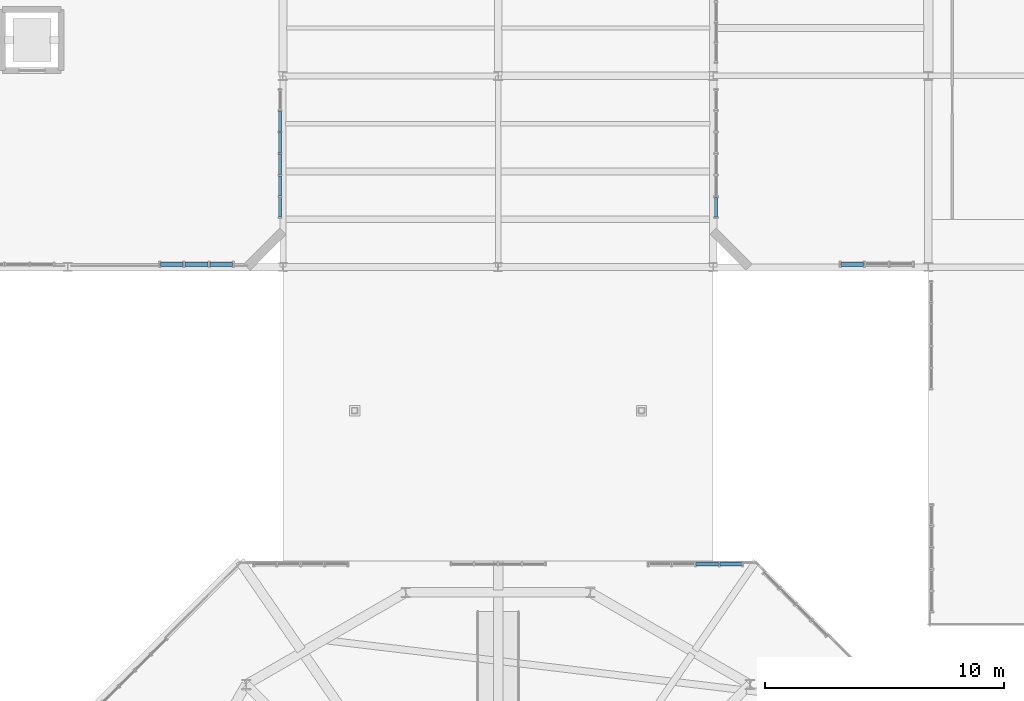
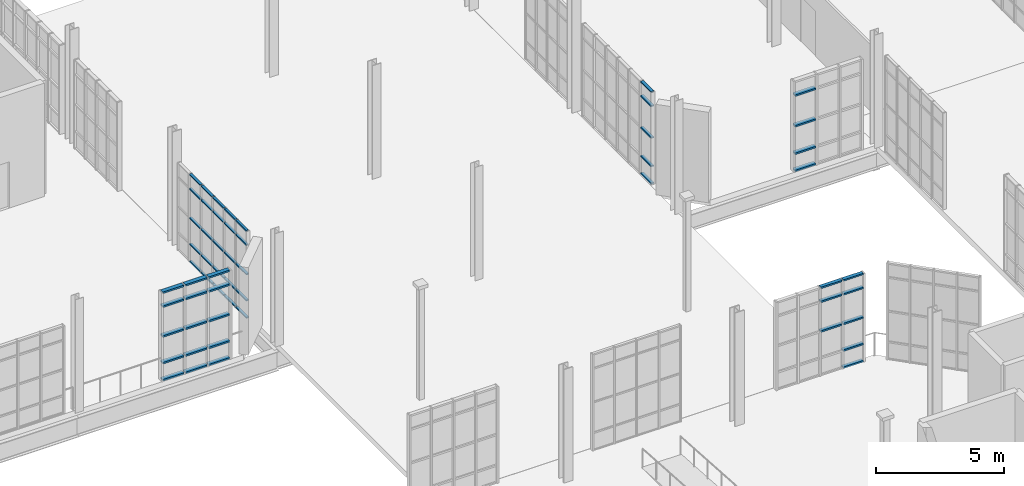
# One storey, part 126 of 189: 57 members, 5 elements without a shape of their own.
"""IFC4 building model written with IfcOpenShell, lengths in metres."""

from ifc_helpers import new_model, si_unit, direction, frame, origin, origin_2d, place, context, subcontext, project, spatial, hollow_rectangle, extrude, material, layer, layer_set, material_profile, profile_set, type_object, element, aggregate, save


model = new_model("IFC4")

# Units and contexts
model_context = context("Model", 3, precision=1e-05, world=origin(), true_north=direction((0.0, 1.0)))
body_context = subcontext(model_context, "Body", "Model", "MODEL_VIEW")
ifc_project = project(units=[si_unit("LENGTHUNIT", "METRE"), si_unit("AREAUNIT", "SQUARE_METRE"), si_unit("VOLUMEUNIT", "CUBIC_METRE"), si_unit("PLANEANGLEUNIT", "RADIAN"), si_unit("MASSUNIT", "GRAM", prefix="KILO"), si_unit("THERMODYNAMICTEMPERATUREUNIT", "KELVIN"), si_unit("POWERUNIT", "WATT")], contexts=[model_context])

# Site, building, storey
site_placement = place(None, origin())
site = spatial("IfcSite", under=ifc_project, at=site_placement, CompositionType="ELEMENT")
building_placement = place(site_placement, origin())
building = spatial("IfcBuilding", under=site, at=building_placement, Name="Zelmaris Science Centre", CompositionType="ELEMENT")
storey_placement = place(building_placement, origin())
storey = spatial("IfcBuildingStorey", under=building, at=storey_placement, Name="L00", CompositionType="ELEMENT", Elevation=0.0)

# Curtain wall, members
ifc_material = material(Name="Anodised architectural aluminium 6063-T6", Category="aluminium")
ifc_layer_1 = layer(ifc_material, 0.219970703125, Name="Anodised architectural aluminium 6063-T6")
ifc_layer_set_1 = layer_set([ifc_layer_1], Name="Anodised architectural aluminium 6063-T6")
curtain_wall_type_1 = type_object("IfcCurtainWallType", Name="Curtain Wall CW-04", PredefinedType="USERDEFINED", material=ifc_layer_set_1)
curtain_wall_1_placement = place(storey_placement, origin())
curtain_wall_1 = element("IfcCurtainWall", 1, at=curtain_wall_1_placement, inside=storey, type_object=curtain_wall_type_1, Name="L00 Unitised curtain wall 32", ObjectType="GLAZED CURTAIN WALL", PredefinedType="USERDEFINED")
ifc_material_profile_1 = material_profile(ifc_material, hollow_rectangle(XDim=0.06005859375, YDim=0.110107421875, WallThickness=0.0029296875, at=origin_2d()), Name="ALU-TRN-60X110")
ifc_profile_set_1 = profile_set([ifc_material_profile_1], Name="Anodised architectural aluminium 6063-T6")
member_type_1 = type_object("IfcMemberType", Name="ALU-TRN-60X110", PredefinedType="USERDEFINED", material=ifc_profile_set_1)
member_1_placement = place(storey_placement, frame((71.8798828125, 70.53076171875, 0.010986328125), z_axis=(0.0, -1.0, 0.0), x_axis=(0.0, 0.0, 1.0)))
member_1 = element("IfcMember", 2, at=member_1_placement, type_object=member_type_1, Name="CW-04 transom 2.1", ObjectType="TRANSOM", PredefinedType="USERDEFINED", context=body_context, shape_type="SweptSolid", body=[
    extrude(hollow_rectangle(XDim=0.06005859375, YDim=0.110107421875, WallThickness=0.0029296875, at=origin_2d()), origin(), (0.0, 0.0, 1.0), 0.851318359375),
])
member_2_placement = place(storey_placement, frame((71.8798828125, 70.53076171875, 0.8349609375), z_axis=(0.0, -1.0, 0.0), x_axis=(0.0, 0.0, 1.0)))
member_2 = element("IfcMember", 3, at=member_2_placement, type_object=member_type_1, Name="CW-04 transom 2.2", ObjectType="TRANSOM", PredefinedType="USERDEFINED", context=body_context, shape_type="SweptSolid", body=[
    extrude(hollow_rectangle(XDim=0.06005859375, YDim=0.110107421875, WallThickness=0.0029296875, at=origin_2d()), origin(), (0.0, 0.0, 1.0), 0.851318359375),
])
member_3_placement = place(storey_placement, frame((71.8798828125, 70.53076171875, 2.077880859375), z_axis=(0.0, -1.0, 0.0), x_axis=(0.0, 0.0, 1.0)))
member_3 = element("IfcMember", 4, at=member_3_placement, type_object=member_type_1, Name="CW-04 transom 2.3", ObjectType="TRANSOM", PredefinedType="USERDEFINED", context=body_context, shape_type="SweptSolid", body=[
    extrude(hollow_rectangle(XDim=0.06005859375, YDim=0.110107421875, WallThickness=0.0029296875, at=origin_2d()), origin(), (0.0, 0.0, 1.0), 0.851318359375),
])
member_4_placement = place(storey_placement, frame((71.8798828125, 70.53076171875, 3.470947265625), z_axis=(0.0, -1.0, 0.0), x_axis=(0.0, 0.0, 1.0)))
member_4 = element("IfcMember", 5, at=member_4_placement, type_object=member_type_1, Name="CW-04 transom 2.4", ObjectType="TRANSOM", PredefinedType="USERDEFINED", context=body_context, shape_type="SweptSolid", body=[
    extrude(hollow_rectangle(XDim=0.06005859375, YDim=0.110107421875, WallThickness=0.0029296875, at=origin_2d()), origin(), (0.0, 0.0, 1.0), 0.851318359375),
])
member_5_placement = place(storey_placement, frame((71.8798828125, 70.53076171875, 4.14501953125), z_axis=(0.0, -1.0, 0.0), x_axis=(0.0, 0.0, 1.0)))
member_5 = element("IfcMember", 6, at=member_5_placement, type_object=member_type_1, Name="CW-04 transom 2.5", ObjectType="TRANSOM", PredefinedType="USERDEFINED", context=body_context, shape_type="SweptSolid", body=[
    extrude(hollow_rectangle(XDim=0.06005859375, YDim=0.110107421875, WallThickness=0.0029296875, at=origin_2d()), origin(), (0.0, 0.0, 1.0), 0.851318359375),
])
member_6_placement = place(storey_placement, frame((71.8798828125, 69.62744140625, 0.010986328125), z_axis=(0.0, -1.0, 0.0), x_axis=(0.0, 0.0, 1.0)))
member_6 = element("IfcMember", 7, at=member_6_placement, type_object=member_type_1, Name="CW-04 transom 3.1", ObjectType="TRANSOM", PredefinedType="USERDEFINED", context=body_context, shape_type="SweptSolid", body=[
    extrude(hollow_rectangle(XDim=0.06005859375, YDim=0.110107421875, WallThickness=0.0029296875, at=origin_2d()), origin(), (0.0, 0.0, 1.0), 0.8515625),
])
member_7_placement = place(storey_placement, frame((71.8798828125, 69.62744140625, 0.8349609375), z_axis=(0.0, -1.0, 0.0), x_axis=(0.0, 0.0, 1.0)))
member_7 = element("IfcMember", 8, at=member_7_placement, type_object=member_type_1, Name="CW-04 transom 3.2", ObjectType="TRANSOM", PredefinedType="USERDEFINED", context=body_context, shape_type="SweptSolid", body=[
    extrude(hollow_rectangle(XDim=0.06005859375, YDim=0.110107421875, WallThickness=0.0029296875, at=origin_2d()), origin(), (0.0, 0.0, 1.0), 0.8515625),
])
member_8_placement = place(storey_placement, frame((71.8798828125, 69.62744140625, 2.077880859375), z_axis=(0.0, -1.0, 0.0), x_axis=(0.0, 0.0, 1.0)))
member_8 = element("IfcMember", 9, at=member_8_placement, type_object=member_type_1, Name="CW-04 transom 3.3", ObjectType="TRANSOM", PredefinedType="USERDEFINED", context=body_context, shape_type="SweptSolid", body=[
    extrude(hollow_rectangle(XDim=0.06005859375, YDim=0.110107421875, WallThickness=0.0029296875, at=origin_2d()), origin(), (0.0, 0.0, 1.0), 0.8515625),
])
member_9_placement = place(storey_placement, frame((71.8798828125, 69.62744140625, 3.470947265625), z_axis=(0.0, -1.0, 0.0), x_axis=(0.0, 0.0, 1.0)))
member_9 = element("IfcMember", 10, at=member_9_placement, type_object=member_type_1, Name="CW-04 transom 3.4", ObjectType="TRANSOM", PredefinedType="USERDEFINED", context=body_context, shape_type="SweptSolid", body=[
    extrude(hollow_rectangle(XDim=0.06005859375, YDim=0.110107421875, WallThickness=0.0029296875, at=origin_2d()), origin(), (0.0, 0.0, 1.0), 0.8515625),
])
member_10_placement = place(storey_placement, frame((71.8798828125, 69.62744140625, 4.14501953125), z_axis=(0.0, -1.0, 0.0), x_axis=(0.0, 0.0, 1.0)))
member_10 = element("IfcMember", 11, at=member_10_placement, type_object=member_type_1, Name="CW-04 transom 3.5", ObjectType="TRANSOM", PredefinedType="USERDEFINED", context=body_context, shape_type="SweptSolid", body=[
    extrude(hollow_rectangle(XDim=0.06005859375, YDim=0.110107421875, WallThickness=0.0029296875, at=origin_2d()), origin(), (0.0, 0.0, 1.0), 0.8515625),
])
member_11_placement = place(storey_placement, frame((71.8798828125, 68.72412109375, 0.010986328125), z_axis=(0.0, -1.0, 0.0), x_axis=(0.0, 0.0, 1.0)))
member_11 = element("IfcMember", 12, at=member_11_placement, type_object=member_type_1, Name="CW-04 transom 4.1", ObjectType="TRANSOM", PredefinedType="USERDEFINED", context=body_context, shape_type="SweptSolid", body=[
    extrude(hollow_rectangle(XDim=0.06005859375, YDim=0.110107421875, WallThickness=0.0029296875, at=origin_2d()), origin(), (0.0, 0.0, 1.0), 0.8515625),
])
member_12_placement = place(storey_placement, frame((71.8798828125, 68.72412109375, 0.8349609375), z_axis=(0.0, -1.0, 0.0), x_axis=(0.0, 0.0, 1.0)))
member_12 = element("IfcMember", 13, at=member_12_placement, type_object=member_type_1, Name="CW-04 transom 4.2", ObjectType="TRANSOM", PredefinedType="USERDEFINED", context=body_context, shape_type="SweptSolid", body=[
    extrude(hollow_rectangle(XDim=0.06005859375, YDim=0.110107421875, WallThickness=0.0029296875, at=origin_2d()), origin(), (0.0, 0.0, 1.0), 0.8515625),
])
member_13_placement = place(storey_placement, frame((71.8798828125, 68.72412109375, 2.077880859375), z_axis=(0.0, -1.0, 0.0), x_axis=(0.0, 0.0, 1.0)))
member_13 = element("IfcMember", 14, at=member_13_placement, type_object=member_type_1, Name="CW-04 transom 4.3", ObjectType="TRANSOM", PredefinedType="USERDEFINED", context=body_context, shape_type="SweptSolid", body=[
    extrude(hollow_rectangle(XDim=0.06005859375, YDim=0.110107421875, WallThickness=0.0029296875, at=origin_2d()), origin(), (0.0, 0.0, 1.0), 0.8515625),
])
member_14_placement = place(storey_placement, frame((71.8798828125, 68.72412109375, 3.470947265625), z_axis=(0.0, -1.0, 0.0), x_axis=(0.0, 0.0, 1.0)))
member_14 = element("IfcMember", 15, at=member_14_placement, type_object=member_type_1, Name="CW-04 transom 4.4", ObjectType="TRANSOM", PredefinedType="USERDEFINED", context=body_context, shape_type="SweptSolid", body=[
    extrude(hollow_rectangle(XDim=0.06005859375, YDim=0.110107421875, WallThickness=0.0029296875, at=origin_2d()), origin(), (0.0, 0.0, 1.0), 0.8515625),
])
member_15_placement = place(storey_placement, frame((71.8798828125, 68.72412109375, 4.14501953125), z_axis=(0.0, -1.0, 0.0), x_axis=(0.0, 0.0, 1.0)))
member_15 = element("IfcMember", 16, at=member_15_placement, type_object=member_type_1, Name="CW-04 transom 4.5", ObjectType="TRANSOM", PredefinedType="USERDEFINED", context=body_context, shape_type="SweptSolid", body=[
    extrude(hollow_rectangle(XDim=0.06005859375, YDim=0.110107421875, WallThickness=0.0029296875, at=origin_2d()), origin(), (0.0, 0.0, 1.0), 0.8515625),
])
member_16_placement = place(storey_placement, frame((71.8798828125, 67.820556640625, 0.010986328125), z_axis=(0.0, -1.0, 0.0), x_axis=(0.0, 0.0, 1.0)))
member_16 = element("IfcMember", 17, at=member_16_placement, type_object=member_type_1, Name="CW-04 transom 5.1", ObjectType="TRANSOM", PredefinedType="USERDEFINED", context=body_context, shape_type="SweptSolid", body=[
    extrude(hollow_rectangle(XDim=0.06005859375, YDim=0.110107421875, WallThickness=0.0029296875, at=origin_2d()), origin(), (0.0, 0.0, 1.0), 0.851318359375),
])
member_17_placement = place(storey_placement, frame((71.8798828125, 67.820556640625, 0.8349609375), z_axis=(0.0, -1.0, 0.0), x_axis=(0.0, 0.0, 1.0)))
member_17 = element("IfcMember", 18, at=member_17_placement, type_object=member_type_1, Name="CW-04 transom 5.2", ObjectType="TRANSOM", PredefinedType="USERDEFINED", context=body_context, shape_type="SweptSolid", body=[
    extrude(hollow_rectangle(XDim=0.06005859375, YDim=0.110107421875, WallThickness=0.0029296875, at=origin_2d()), origin(), (0.0, 0.0, 1.0), 0.851318359375),
])
member_18_placement = place(storey_placement, frame((71.8798828125, 67.820556640625, 2.077880859375), z_axis=(0.0, -1.0, 0.0), x_axis=(0.0, 0.0, 1.0)))
member_18 = element("IfcMember", 19, at=member_18_placement, type_object=member_type_1, Name="CW-04 transom 5.3", ObjectType="TRANSOM", PredefinedType="USERDEFINED", context=body_context, shape_type="SweptSolid", body=[
    extrude(hollow_rectangle(XDim=0.06005859375, YDim=0.110107421875, WallThickness=0.0029296875, at=origin_2d()), origin(), (0.0, 0.0, 1.0), 0.851318359375),
])
member_19_placement = place(storey_placement, frame((71.8798828125, 67.820556640625, 3.470947265625), z_axis=(0.0, -1.0, 0.0), x_axis=(0.0, 0.0, 1.0)))
member_19 = element("IfcMember", 20, at=member_19_placement, type_object=member_type_1, Name="CW-04 transom 5.4", ObjectType="TRANSOM", PredefinedType="USERDEFINED", context=body_context, shape_type="SweptSolid", body=[
    extrude(hollow_rectangle(XDim=0.06005859375, YDim=0.110107421875, WallThickness=0.0029296875, at=origin_2d()), origin(), (0.0, 0.0, 1.0), 0.851318359375),
])
member_20_placement = place(storey_placement, frame((71.8798828125, 67.820556640625, 4.14501953125), z_axis=(0.0, -1.0, 0.0), x_axis=(0.0, 0.0, 1.0)))
member_20 = element("IfcMember", 21, at=member_20_placement, type_object=member_type_1, Name="CW-04 transom 5.5", ObjectType="TRANSOM", PredefinedType="USERDEFINED", context=body_context, shape_type="SweptSolid", body=[
    extrude(hollow_rectangle(XDim=0.06005859375, YDim=0.110107421875, WallThickness=0.0029296875, at=origin_2d()), origin(), (0.0, 0.0, 1.0), 0.851318359375),
])
member_21_placement = place(storey_placement, frame((71.8798828125, 66.917236328125, 0.010986328125), z_axis=(0.0, -1.0, 0.0), x_axis=(0.0, 0.0, 1.0)))
member_21 = element("IfcMember", 22, at=member_21_placement, type_object=member_type_1, Name="CW-04 transom 6.1", ObjectType="TRANSOM", PredefinedType="USERDEFINED", context=body_context, shape_type="SweptSolid", body=[
    extrude(hollow_rectangle(XDim=0.06005859375, YDim=0.110107421875, WallThickness=0.0029296875, at=origin_2d()), origin(), (0.0, 0.0, 1.0), 0.8251953125),
])
member_22_placement = place(storey_placement, frame((71.8798828125, 66.917236328125, 0.8349609375), z_axis=(0.0, -1.0, 0.0), x_axis=(0.0, 0.0, 1.0)))
member_22 = element("IfcMember", 23, at=member_22_placement, type_object=member_type_1, Name="CW-04 transom 6.2", ObjectType="TRANSOM", PredefinedType="USERDEFINED", context=body_context, shape_type="SweptSolid", body=[
    extrude(hollow_rectangle(XDim=0.06005859375, YDim=0.110107421875, WallThickness=0.0029296875, at=origin_2d()), origin(), (0.0, 0.0, 1.0), 0.8251953125),
])
member_23_placement = place(storey_placement, frame((71.8798828125, 66.917236328125, 2.077880859375), z_axis=(0.0, -1.0, 0.0), x_axis=(0.0, 0.0, 1.0)))
member_23 = element("IfcMember", 24, at=member_23_placement, type_object=member_type_1, Name="CW-04 transom 6.3", ObjectType="TRANSOM", PredefinedType="USERDEFINED", context=body_context, shape_type="SweptSolid", body=[
    extrude(hollow_rectangle(XDim=0.06005859375, YDim=0.110107421875, WallThickness=0.0029296875, at=origin_2d()), origin(), (0.0, 0.0, 1.0), 0.8251953125),
])
member_24_placement = place(storey_placement, frame((71.8798828125, 66.917236328125, 3.470947265625), z_axis=(0.0, -1.0, 0.0), x_axis=(0.0, 0.0, 1.0)))
member_24 = element("IfcMember", 25, at=member_24_placement, type_object=member_type_1, Name="CW-04 transom 6.4", ObjectType="TRANSOM", PredefinedType="USERDEFINED", context=body_context, shape_type="SweptSolid", body=[
    extrude(hollow_rectangle(XDim=0.06005859375, YDim=0.110107421875, WallThickness=0.0029296875, at=origin_2d()), origin(), (0.0, 0.0, 1.0), 0.8251953125),
])
member_25_placement = place(storey_placement, frame((71.8798828125, 66.917236328125, 4.14501953125), z_axis=(0.0, -1.0, 0.0), x_axis=(0.0, 0.0, 1.0)))
member_25 = element("IfcMember", 26, at=member_25_placement, type_object=member_type_1, Name="CW-04 transom 6.5", ObjectType="TRANSOM", PredefinedType="USERDEFINED", context=body_context, shape_type="SweptSolid", body=[
    extrude(hollow_rectangle(XDim=0.06005859375, YDim=0.110107421875, WallThickness=0.0029296875, at=origin_2d()), origin(), (0.0, 0.0, 1.0), 0.8251953125),
])
aggregate(curtain_wall_1, [member_1, member_2, member_3, member_4, member_5, member_6, member_7, member_8, member_9, member_10, member_11, member_12, member_13, member_14, member_15, member_16, member_17, member_18, member_19, member_20, member_21, member_22, member_23, member_24, member_25])

ifc_layer_2 = layer(ifc_material, 0.2099609375, Name="Anodised architectural aluminium 6063-T6")
ifc_layer_set_2 = layer_set([ifc_layer_2], Name="Anodised architectural aluminium 6063-T6")
curtain_wall_type_2 = type_object("IfcCurtainWallType", Name="Curtain Wall CW-03", PredefinedType="USERDEFINED", material=ifc_layer_set_2)
curtain_wall_2_placement = place(storey_placement, origin())
curtain_wall_2 = element("IfcCurtainWall", 27, at=curtain_wall_2_placement, inside=storey, type_object=curtain_wall_type_2, Name="L00 Unitised curtain wall 79", ObjectType="GLAZED CURTAIN WALL", PredefinedType="USERDEFINED")
ifc_material_profile_2 = material_profile(ifc_material, hollow_rectangle(XDim=0.06494140625, YDim=0.1298828125, WallThickness=0.00341796875, at=origin_2d()), Name="ALU-TRN-65X130")
ifc_profile_set_2 = profile_set([ifc_material_profile_2], Name="Anodised architectural aluminium 6063-T6")
member_type_2 = type_object("IfcMemberType", Name="ALU-TRN-65X130", PredefinedType="USERDEFINED", material=ifc_profile_set_2)
member_26_placement = place(storey_placement, frame((90.1201171875, 66.096923828125, 0.013427734375), z_axis=(0.0, 1.0, 0.0), x_axis=(0.0, 0.0, 1.0)))
member_26 = element("IfcMember", 28, at=member_26_placement, type_object=member_type_2, Name="CW-03 transom 1.1", ObjectType="TRANSOM", PredefinedType="USERDEFINED", context=body_context, shape_type="SweptSolid", body=[
    extrude(hollow_rectangle(XDim=0.06494140625, YDim=0.1298828125, WallThickness=0.00341796875, at=origin_2d()), origin(), (0.0, 0.0, 1.0), 0.81787109375),
])
member_27_placement = place(storey_placement, frame((90.1201171875, 66.096923828125, 0.8349609375), z_axis=(0.0, 1.0, 0.0), x_axis=(0.0, 0.0, 1.0)))
member_27 = element("IfcMember", 29, at=member_27_placement, type_object=member_type_2, Name="CW-03 transom 1.2", ObjectType="TRANSOM", PredefinedType="USERDEFINED", context=body_context, shape_type="SweptSolid", body=[
    extrude(hollow_rectangle(XDim=0.06494140625, YDim=0.1298828125, WallThickness=0.00341796875, at=origin_2d()), origin(), (0.0, 0.0, 1.0), 0.81787109375),
])
member_28_placement = place(storey_placement, frame((90.1201171875, 66.096923828125, 2.193603515625), z_axis=(0.0, 1.0, 0.0), x_axis=(0.0, 0.0, 1.0)))
member_28 = element("IfcMember", 30, at=member_28_placement, type_object=member_type_2, Name="CW-03 transom 1.3", ObjectType="TRANSOM", PredefinedType="USERDEFINED", context=body_context, shape_type="SweptSolid", body=[
    extrude(hollow_rectangle(XDim=0.06494140625, YDim=0.1298828125, WallThickness=0.00341796875, at=origin_2d()), origin(), (0.0, 0.0, 1.0), 0.81787109375),
])
member_29_placement = place(storey_placement, frame((90.1201171875, 66.096923828125, 3.701904296875), z_axis=(0.0, 1.0, 0.0), x_axis=(0.0, 0.0, 1.0)))
member_29 = element("IfcMember", 31, at=member_29_placement, type_object=member_type_2, Name="CW-03 transom 1.4", ObjectType="TRANSOM", PredefinedType="USERDEFINED", context=body_context, shape_type="SweptSolid", body=[
    extrude(hollow_rectangle(XDim=0.06494140625, YDim=0.1298828125, WallThickness=0.00341796875, at=origin_2d()), origin(), (0.0, 0.0, 1.0), 0.81787109375),
])
member_30_placement = place(storey_placement, frame((90.1201171875, 66.096923828125, 4.37353515625), z_axis=(0.0, 1.0, 0.0), x_axis=(0.0, 0.0, 1.0)))
member_30 = element("IfcMember", 32, at=member_30_placement, type_object=member_type_2, Name="CW-03 transom 1.5", ObjectType="TRANSOM", PredefinedType="USERDEFINED", context=body_context, shape_type="SweptSolid", body=[
    extrude(hollow_rectangle(XDim=0.06494140625, YDim=0.1298828125, WallThickness=0.00341796875, at=origin_2d()), origin(), (0.0, 0.0, 1.0), 0.81787109375),
])
aggregate(curtain_wall_2, [member_26, member_27, member_28, member_29, member_30])

ifc_layer_3 = layer(ifc_material, 0.199951171875, Name="Anodised architectural aluminium 6063-T6")
ifc_layer_set_3 = layer_set([ifc_layer_3], Name="Anodised architectural aluminium 6063-T6")
curtain_wall_type_3 = type_object("IfcCurtainWallType", Name="Curtain Wall CW-02", PredefinedType="USERDEFINED", material=ifc_layer_set_3)
curtain_wall_3_placement = place(storey_placement, origin())
curtain_wall_3 = element("IfcCurtainWall", 33, at=curtain_wall_3_placement, inside=storey, type_object=curtain_wall_type_3, Name="L00 Unitised curtain wall 58", ObjectType="GLAZED CURTAIN WALL", PredefinedType="USERDEFINED")
ifc_material_profile_3 = material_profile(ifc_material, hollow_rectangle(XDim=0.074951171875, YDim=0.159912109375, WallThickness=0.00390625, at=origin_2d()), Name="ALU-TRN-75X160")
ifc_profile_set_3 = profile_set([ifc_material_profile_3], Name="Anodised architectural aluminium 6063-T6")
member_type_3 = type_object("IfcMemberType", Name="ALU-TRN-75X160", PredefinedType="USERDEFINED", material=ifc_profile_set_3)
member_31_placement = place(storey_placement, frame((89.28955078125, 51.579833984375, 2.095458984375), z_axis=(1.0, 0.0, 0.0), x_axis=(0.0, 0.0, 1.0)))
member_31 = element("IfcMember", 34, at=member_31_placement, type_object=member_type_3, Name="CW-02 transom 3.3", ObjectType="TRANSOM", PredefinedType="USERDEFINED", context=body_context, shape_type="SweptSolid", body=[
    extrude(hollow_rectangle(XDim=0.074951171875, YDim=0.159912109375, WallThickness=0.00390625, at=origin_2d()), origin(), (0.0, 0.0, 1.0), 0.93505859375),
])
member_32_placement = place(storey_placement, frame((89.28955078125, 51.579833984375, 3.506103515625), z_axis=(1.0, 0.0, 0.0), x_axis=(0.0, 0.0, 1.0)))
member_32 = element("IfcMember", 35, at=member_32_placement, type_object=member_type_3, Name="CW-02 transom 3.4", ObjectType="TRANSOM", PredefinedType="USERDEFINED", context=body_context, shape_type="SweptSolid", body=[
    extrude(hollow_rectangle(XDim=0.074951171875, YDim=0.159912109375, WallThickness=0.00390625, at=origin_2d()), origin(), (0.0, 0.0, 1.0), 0.93505859375),
])
member_33_placement = place(storey_placement, frame((89.28955078125, 51.579833984375, 4.172607421875), z_axis=(1.0, 0.0, 0.0), x_axis=(0.0, 0.0, 1.0)))
member_33 = element("IfcMember", 36, at=member_33_placement, type_object=member_type_3, Name="CW-02 transom 3.5", ObjectType="TRANSOM", PredefinedType="USERDEFINED", context=body_context, shape_type="SweptSolid", body=[
    extrude(hollow_rectangle(XDim=0.074951171875, YDim=0.159912109375, WallThickness=0.00390625, at=origin_2d()), origin(), (0.0, 0.0, 1.0), 0.93505859375),
])
member_34_placement = place(storey_placement, frame((90.29150390625, 51.579833984375, 0.0185546875), z_axis=(1.0, 0.0, 0.0), x_axis=(0.0, 0.0, 1.0)))
member_34 = element("IfcMember", 37, at=member_34_placement, type_object=member_type_3, Name="CW-02 transom 4.1", ObjectType="TRANSOM", PredefinedType="USERDEFINED", context=body_context, shape_type="SweptSolid", body=[
    extrude(hollow_rectangle(XDim=0.074951171875, YDim=0.159912109375, WallThickness=0.00390625, at=origin_2d()), origin(), (0.0, 0.0, 1.0), 0.901611328125),
])
member_35_placement = place(storey_placement, frame((90.29150390625, 51.579833984375, 0.8349609375), z_axis=(1.0, 0.0, 0.0), x_axis=(0.0, 0.0, 1.0)))
member_35 = element("IfcMember", 38, at=member_35_placement, type_object=member_type_3, Name="CW-02 transom 4.2", ObjectType="TRANSOM", PredefinedType="USERDEFINED", context=body_context, shape_type="SweptSolid", body=[
    extrude(hollow_rectangle(XDim=0.074951171875, YDim=0.159912109375, WallThickness=0.00390625, at=origin_2d()), origin(), (0.0, 0.0, 1.0), 0.901611328125),
])
member_36_placement = place(storey_placement, frame((90.29150390625, 51.579833984375, 2.095458984375), z_axis=(1.0, 0.0, 0.0), x_axis=(0.0, 0.0, 1.0)))
member_36 = element("IfcMember", 39, at=member_36_placement, type_object=member_type_3, Name="CW-02 transom 4.3", ObjectType="TRANSOM", PredefinedType="USERDEFINED", context=body_context, shape_type="SweptSolid", body=[
    extrude(hollow_rectangle(XDim=0.074951171875, YDim=0.159912109375, WallThickness=0.00390625, at=origin_2d()), origin(), (0.0, 0.0, 1.0), 0.901611328125),
])
member_37_placement = place(storey_placement, frame((90.29150390625, 51.579833984375, 3.506103515625), z_axis=(1.0, 0.0, 0.0), x_axis=(0.0, 0.0, 1.0)))
member_37 = element("IfcMember", 40, at=member_37_placement, type_object=member_type_3, Name="CW-02 transom 4.4", ObjectType="TRANSOM", PredefinedType="USERDEFINED", context=body_context, shape_type="SweptSolid", body=[
    extrude(hollow_rectangle(XDim=0.074951171875, YDim=0.159912109375, WallThickness=0.00390625, at=origin_2d()), origin(), (0.0, 0.0, 1.0), 0.901611328125),
])
member_38_placement = place(storey_placement, frame((90.29150390625, 51.579833984375, 4.172607421875), z_axis=(1.0, 0.0, 0.0), x_axis=(0.0, 0.0, 1.0)))
member_38 = element("IfcMember", 41, at=member_38_placement, type_object=member_type_3, Name="CW-02 transom 4.5", ObjectType="TRANSOM", PredefinedType="USERDEFINED", context=body_context, shape_type="SweptSolid", body=[
    extrude(hollow_rectangle(XDim=0.074951171875, YDim=0.159912109375, WallThickness=0.00390625, at=origin_2d()), origin(), (0.0, 0.0, 1.0), 0.901611328125),
])
aggregate(curtain_wall_3, [member_31, member_32, member_33, member_34, member_35, member_36, member_37, member_38])

ifc_layer_4 = layer(ifc_material, 0.18994140625, Name="Anodised architectural aluminium 6063-T6")
ifc_layer_set_4 = layer_set([ifc_layer_4], Name="Anodised architectural aluminium 6063-T6")
curtain_wall_type_4 = type_object("IfcCurtainWallType", Name="Curtain Wall CW-01", PredefinedType="USERDEFINED", material=ifc_layer_set_4)
curtain_wall_4_placement = place(storey_placement, origin())
curtain_wall_4 = element("IfcCurtainWall", 42, at=curtain_wall_4_placement, inside=storey, type_object=curtain_wall_type_4, Name="L00 Unitised curtain wall 33", ObjectType="GLAZED CURTAIN WALL", PredefinedType="USERDEFINED")
ifc_material_profile_4 = material_profile(ifc_material, hollow_rectangle(XDim=0.080078125, YDim=0.18994140625, WallThickness=0.00439453125, at=origin_2d()), Name="ALU-TRN-80X190")
ifc_profile_set_4 = profile_set([ifc_material_profile_4], Name="Anodised architectural aluminium 6063-T6")
member_type_4 = type_object("IfcMemberType", Name="ALU-TRN-80X190", PredefinedType="USERDEFINED", material=ifc_profile_set_4)
member_39_placement = place(storey_placement, frame((69.887939453125, 64.1201171875, 0.02099609375), z_axis=(-1.0, 0.0, 0.0), x_axis=(0.0, 0.0, 1.0)))
member_39 = element("IfcMember", 43, at=member_39_placement, type_object=member_type_4, Name="CW-01 transom 1.1", ObjectType="TRANSOM", PredefinedType="USERDEFINED", context=body_context, shape_type="SweptSolid", body=[
    extrude(hollow_rectangle(XDim=0.080078125, YDim=0.18994140625, WallThickness=0.00439453125, at=origin_2d()), origin(), (0.0, 0.0, 1.0), 0.94189453125),
])
member_40_placement = place(storey_placement, frame((69.887939453125, 64.1201171875, 0.8349609375), z_axis=(-1.0, 0.0, 0.0), x_axis=(0.0, 0.0, 1.0)))
member_40 = element("IfcMember", 44, at=member_40_placement, type_object=member_type_4, Name="CW-01 transom 1.2", ObjectType="TRANSOM", PredefinedType="USERDEFINED", context=body_context, shape_type="SweptSolid", body=[
    extrude(hollow_rectangle(XDim=0.080078125, YDim=0.18994140625, WallThickness=0.00439453125, at=origin_2d()), origin(), (0.0, 0.0, 1.0), 0.94189453125),
])
member_41_placement = place(storey_placement, frame((69.887939453125, 64.1201171875, 2.1044921875), z_axis=(-1.0, 0.0, 0.0), x_axis=(0.0, 0.0, 1.0)))
member_41 = element("IfcMember", 45, at=member_41_placement, type_object=member_type_4, Name="CW-01 transom 1.3", ObjectType="TRANSOM", PredefinedType="USERDEFINED", context=body_context, shape_type="SweptSolid", body=[
    extrude(hollow_rectangle(XDim=0.080078125, YDim=0.18994140625, WallThickness=0.00439453125, at=origin_2d()), origin(), (0.0, 0.0, 1.0), 0.94189453125),
])
member_42_placement = place(storey_placement, frame((69.887939453125, 64.1201171875, 3.52392578125), z_axis=(-1.0, 0.0, 0.0), x_axis=(0.0, 0.0, 1.0)))
member_42 = element("IfcMember", 46, at=member_42_placement, type_object=member_type_4, Name="CW-01 transom 1.4", ObjectType="TRANSOM", PredefinedType="USERDEFINED", context=body_context, shape_type="SweptSolid", body=[
    extrude(hollow_rectangle(XDim=0.080078125, YDim=0.18994140625, WallThickness=0.00439453125, at=origin_2d()), origin(), (0.0, 0.0, 1.0), 0.94189453125),
])
member_43_placement = place(storey_placement, frame((69.887939453125, 64.1201171875, 4.18798828125), z_axis=(-1.0, 0.0, 0.0), x_axis=(0.0, 0.0, 1.0)))
member_43 = element("IfcMember", 47, at=member_43_placement, type_object=member_type_4, Name="CW-01 transom 1.5", ObjectType="TRANSOM", PredefinedType="USERDEFINED", context=body_context, shape_type="SweptSolid", body=[
    extrude(hollow_rectangle(XDim=0.080078125, YDim=0.18994140625, WallThickness=0.00439453125, at=origin_2d()), origin(), (0.0, 0.0, 1.0), 0.94189453125),
])
member_44_placement = place(storey_placement, frame((68.8740234375, 64.1201171875, 0.02099609375), z_axis=(-1.0, 0.0, 0.0), x_axis=(0.0, 0.0, 1.0)))
member_44 = element("IfcMember", 48, at=member_44_placement, type_object=member_type_4, Name="CW-01 transom 2.1", ObjectType="TRANSOM", PredefinedType="USERDEFINED", context=body_context, shape_type="SweptSolid", body=[
    extrude(hollow_rectangle(XDim=0.080078125, YDim=0.18994140625, WallThickness=0.00439453125, at=origin_2d()), origin(), (0.0, 0.0, 1.0), 0.97802734375),
])
member_45_placement = place(storey_placement, frame((68.8740234375, 64.1201171875, 0.8349609375), z_axis=(-1.0, 0.0, 0.0), x_axis=(0.0, 0.0, 1.0)))
member_45 = element("IfcMember", 49, at=member_45_placement, type_object=member_type_4, Name="CW-01 transom 2.2", ObjectType="TRANSOM", PredefinedType="USERDEFINED", context=body_context, shape_type="SweptSolid", body=[
    extrude(hollow_rectangle(XDim=0.080078125, YDim=0.18994140625, WallThickness=0.00439453125, at=origin_2d()), origin(), (0.0, 0.0, 1.0), 0.97802734375),
])
member_46_placement = place(storey_placement, frame((68.8740234375, 64.1201171875, 2.1044921875), z_axis=(-1.0, 0.0, 0.0), x_axis=(0.0, 0.0, 1.0)))
member_46 = element("IfcMember", 50, at=member_46_placement, type_object=member_type_4, Name="CW-01 transom 2.3", ObjectType="TRANSOM", PredefinedType="USERDEFINED", context=body_context, shape_type="SweptSolid", body=[
    extrude(hollow_rectangle(XDim=0.080078125, YDim=0.18994140625, WallThickness=0.00439453125, at=origin_2d()), origin(), (0.0, 0.0, 1.0), 0.97802734375),
])
member_47_placement = place(storey_placement, frame((68.8740234375, 64.1201171875, 3.52392578125), z_axis=(-1.0, 0.0, 0.0), x_axis=(0.0, 0.0, 1.0)))
member_47 = element("IfcMember", 51, at=member_47_placement, type_object=member_type_4, Name="CW-01 transom 2.4", ObjectType="TRANSOM", PredefinedType="USERDEFINED", context=body_context, shape_type="SweptSolid", body=[
    extrude(hollow_rectangle(XDim=0.080078125, YDim=0.18994140625, WallThickness=0.00439453125, at=origin_2d()), origin(), (0.0, 0.0, 1.0), 0.97802734375),
])
member_48_placement = place(storey_placement, frame((68.8740234375, 64.1201171875, 4.18798828125), z_axis=(-1.0, 0.0, 0.0), x_axis=(0.0, 0.0, 1.0)))
member_48 = element("IfcMember", 52, at=member_48_placement, type_object=member_type_4, Name="CW-01 transom 2.5", ObjectType="TRANSOM", PredefinedType="USERDEFINED", context=body_context, shape_type="SweptSolid", body=[
    extrude(hollow_rectangle(XDim=0.080078125, YDim=0.18994140625, WallThickness=0.00439453125, at=origin_2d()), origin(), (0.0, 0.0, 1.0), 0.97802734375),
])
member_49_placement = place(storey_placement, frame((67.823974609375, 64.1201171875, 0.02099609375), z_axis=(-1.0, 0.0, 0.0), x_axis=(0.0, 0.0, 1.0)))
member_49 = element("IfcMember", 53, at=member_49_placement, type_object=member_type_4, Name="CW-01 transom 3.1", ObjectType="TRANSOM", PredefinedType="USERDEFINED", context=body_context, shape_type="SweptSolid", body=[
    extrude(hollow_rectangle(XDim=0.080078125, YDim=0.18994140625, WallThickness=0.00439453125, at=origin_2d()), origin(), (0.0, 0.0, 1.0), 0.94189453125),
])
member_50_placement = place(storey_placement, frame((67.823974609375, 64.1201171875, 0.8349609375), z_axis=(-1.0, 0.0, 0.0), x_axis=(0.0, 0.0, 1.0)))
member_50 = element("IfcMember", 54, at=member_50_placement, type_object=member_type_4, Name="CW-01 transom 3.2", ObjectType="TRANSOM", PredefinedType="USERDEFINED", context=body_context, shape_type="SweptSolid", body=[
    extrude(hollow_rectangle(XDim=0.080078125, YDim=0.18994140625, WallThickness=0.00439453125, at=origin_2d()), origin(), (0.0, 0.0, 1.0), 0.94189453125),
])
member_51_placement = place(storey_placement, frame((67.823974609375, 64.1201171875, 2.1044921875), z_axis=(-1.0, 0.0, 0.0), x_axis=(0.0, 0.0, 1.0)))
member_51 = element("IfcMember", 55, at=member_51_placement, type_object=member_type_4, Name="CW-01 transom 3.3", ObjectType="TRANSOM", PredefinedType="USERDEFINED", context=body_context, shape_type="SweptSolid", body=[
    extrude(hollow_rectangle(XDim=0.080078125, YDim=0.18994140625, WallThickness=0.00439453125, at=origin_2d()), origin(), (0.0, 0.0, 1.0), 0.94189453125),
])
member_52_placement = place(storey_placement, frame((67.823974609375, 64.1201171875, 3.52392578125), z_axis=(-1.0, 0.0, 0.0), x_axis=(0.0, 0.0, 1.0)))
member_52 = element("IfcMember", 56, at=member_52_placement, type_object=member_type_4, Name="CW-01 transom 3.4", ObjectType="TRANSOM", PredefinedType="USERDEFINED", context=body_context, shape_type="SweptSolid", body=[
    extrude(hollow_rectangle(XDim=0.080078125, YDim=0.18994140625, WallThickness=0.00439453125, at=origin_2d()), origin(), (0.0, 0.0, 1.0), 0.94189453125),
])
member_53_placement = place(storey_placement, frame((67.823974609375, 64.1201171875, 4.18798828125), z_axis=(-1.0, 0.0, 0.0), x_axis=(0.0, 0.0, 1.0)))
member_53 = element("IfcMember", 57, at=member_53_placement, type_object=member_type_4, Name="CW-01 transom 3.5", ObjectType="TRANSOM", PredefinedType="USERDEFINED", context=body_context, shape_type="SweptSolid", body=[
    extrude(hollow_rectangle(XDim=0.080078125, YDim=0.18994140625, WallThickness=0.00439453125, at=origin_2d()), origin(), (0.0, 0.0, 1.0), 0.94189453125),
])
aggregate(curtain_wall_4, [member_39, member_40, member_41, member_42, member_43, member_44, member_45, member_46, member_47, member_48, member_49, member_50, member_51, member_52, member_53])

curtain_wall_5_placement = place(storey_placement, origin())
curtain_wall_5 = element("IfcCurtainWall", 58, at=curtain_wall_5_placement, inside=storey, type_object=curtain_wall_type_4, Name="L00 Unitised curtain wall 77", ObjectType="GLAZED CURTAIN WALL", PredefinedType="USERDEFINED")
member_54_placement = place(storey_placement, frame((96.283935546875, 64.1201171875, 0.02099609375), z_axis=(-1.0, 0.0, 0.0), x_axis=(0.0, 0.0, 1.0)))
member_54 = element("IfcMember", 59, at=member_54_placement, type_object=member_type_4, Name="CW-01 transom 3.1", ObjectType="TRANSOM", PredefinedType="USERDEFINED", context=body_context, shape_type="SweptSolid", body=[
    extrude(hollow_rectangle(XDim=0.080078125, YDim=0.18994140625, WallThickness=0.00439453125, at=origin_2d()), origin(), (0.0, 0.0, 1.0), 0.931884765625),
])
member_55_placement = place(storey_placement, frame((96.283935546875, 64.1201171875, 0.8349609375), z_axis=(-1.0, 0.0, 0.0), x_axis=(0.0, 0.0, 1.0)))
member_55 = element("IfcMember", 60, at=member_55_placement, type_object=member_type_4, Name="CW-01 transom 3.2", ObjectType="TRANSOM", PredefinedType="USERDEFINED", context=body_context, shape_type="SweptSolid", body=[
    extrude(hollow_rectangle(XDim=0.080078125, YDim=0.18994140625, WallThickness=0.00439453125, at=origin_2d()), origin(), (0.0, 0.0, 1.0), 0.931884765625),
])
member_56_placement = place(storey_placement, frame((96.283935546875, 64.1201171875, 2.146484375), z_axis=(-1.0, 0.0, 0.0), x_axis=(0.0, 0.0, 1.0)))
member_56 = element("IfcMember", 61, at=member_56_placement, type_object=member_type_4, Name="CW-01 transom 3.3", ObjectType="TRANSOM", PredefinedType="USERDEFINED", context=body_context, shape_type="SweptSolid", body=[
    extrude(hollow_rectangle(XDim=0.080078125, YDim=0.18994140625, WallThickness=0.00439453125, at=origin_2d()), origin(), (0.0, 0.0, 1.0), 0.931884765625),
])
member_57_placement = place(storey_placement, frame((96.283935546875, 64.1201171875, 3.60791015625), z_axis=(-1.0, 0.0, 0.0), x_axis=(0.0, 0.0, 1.0)))
member_57 = element("IfcMember", 62, at=member_57_placement, type_object=member_type_4, Name="CW-01 transom 3.4", ObjectType="TRANSOM", PredefinedType="USERDEFINED", context=body_context, shape_type="SweptSolid", body=[
    extrude(hollow_rectangle(XDim=0.080078125, YDim=0.18994140625, WallThickness=0.00439453125, at=origin_2d()), origin(), (0.0, 0.0, 1.0), 0.931884765625),
])
aggregate(curtain_wall_5, [member_54, member_55, member_56, member_57])

save(model, "model.ifc")
